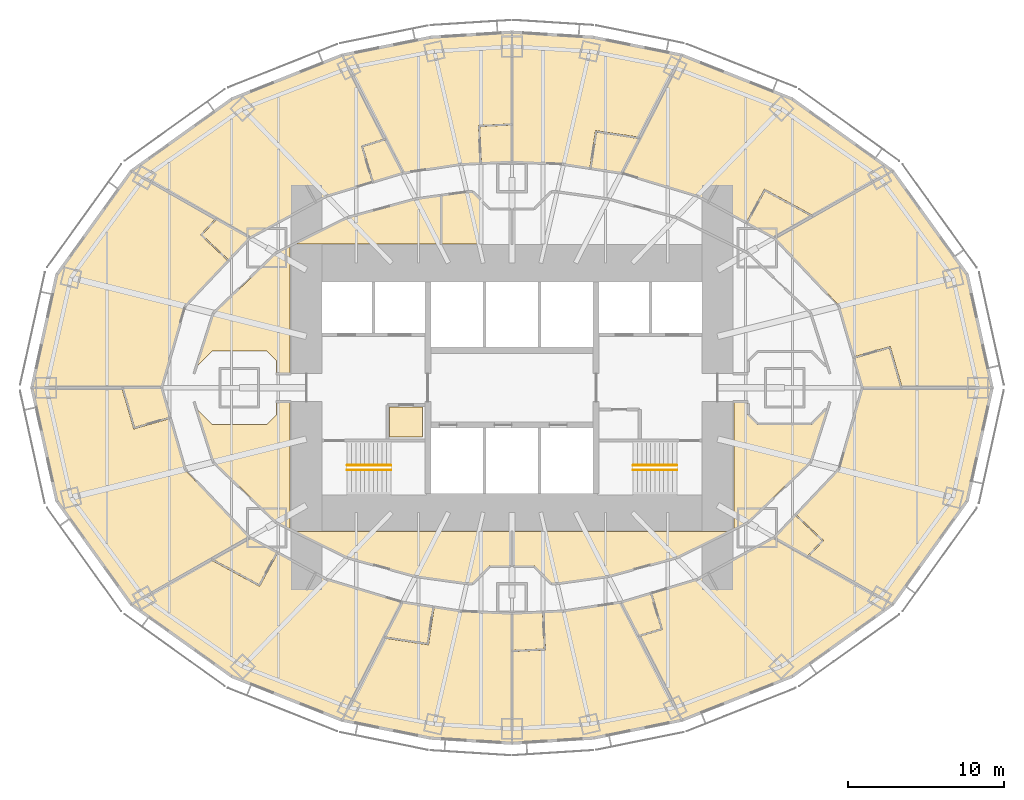
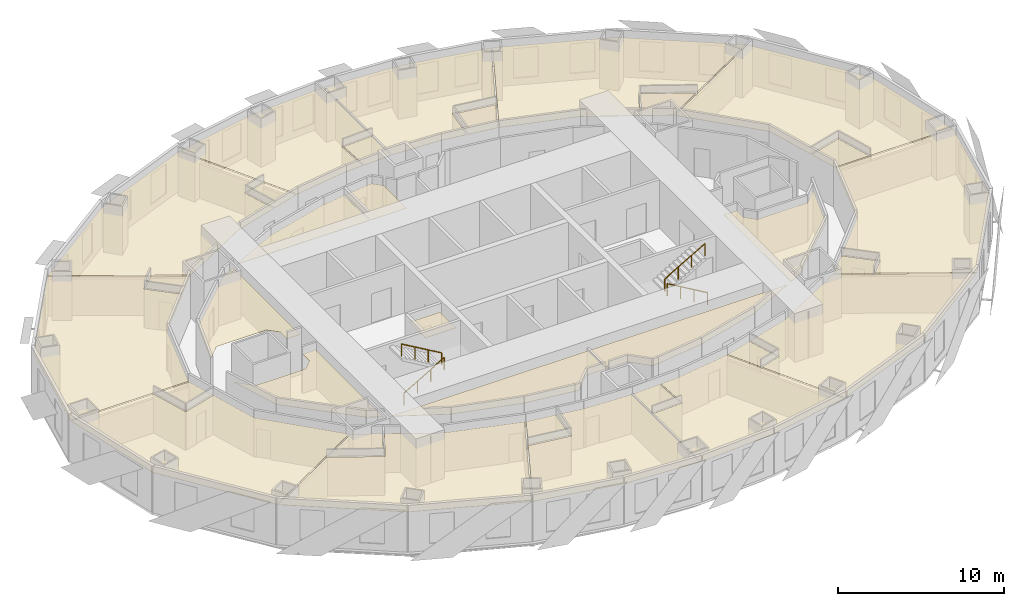
# One storey, part 15 of 15: 32 coverings, 4 railings.
"""IFC4 building model written with IfcOpenShell, lengths in metres."""

from ifc_helpers import new_model, si_unit, direction, frame, origin, origin_2d, place, context, subcontext, project, spatial, polyline, circle, outline, extrude, material, layer, layer_set, type_object, element, save


model = new_model("IFC4")

# Units and contexts
model_context = context("Model", 3, precision=1e-05, world=origin(), true_north=direction((0.0, 1.0)))
body_context = subcontext(model_context, "Body", "Model", "MODEL_VIEW")
ifc_project = project(units=[si_unit("LENGTHUNIT", "METRE"), si_unit("AREAUNIT", "SQUARE_METRE"), si_unit("VOLUMEUNIT", "CUBIC_METRE"), si_unit("PLANEANGLEUNIT", "RADIAN"), si_unit("MASSUNIT", "GRAM", prefix="KILO")], contexts=[model_context])

# Site, building, storey
site_placement = place(None, origin())
site = spatial("IfcSite", under=ifc_project, at=site_placement, CompositionType="ELEMENT")
building_placement = place(site_placement, origin())
building = spatial("IfcBuilding", under=site, at=building_placement, Name="Lantaw Convention Tower", CompositionType="ELEMENT")
storey_placement = place(building_placement, frame((0.0, 0.0, 83.800048828125)))
storey = spatial("IfcBuildingStorey", under=building, at=storey_placement, Name="L19", CompositionType="ELEMENT", Elevation=83.800048828125)

# Railings
ifc_material_1 = material(Name="Stainless steel", Category="steel")
railing_type = type_object("IfcRailingType", Name="Stair handrail", PredefinedType="HANDRAIL", material=ifc_material_1)
railing_1_placement = place(storey_placement, frame((-10.580078125, -5.280029296875, 0.16357421875)))
element("IfcRailing", 1, at=railing_1_placement, inside=storey, type_object=railing_type, Name="Stair handrail S1", PredefinedType="HANDRAIL", context=body_context, shape_type="SweptSolid", body=[
    extrude(circle(Radius=0.02392578125, at=origin_2d()), frame((0.0, 0.0, 0.8759765625), z_axis=(0.863360870873, 0.0, 0.504586966384), x_axis=(0.0, 1.0, 0.0)), (0.0, 0.0, 1.0), 3.2431640625),
    extrude(circle(Radius=0.02099609375, at=origin_2d()), origin(), (0.0, 0.0, 1.0), 0.851806640625),
    extrude(circle(Radius=0.02099609375, at=origin_2d()), frame((0.933349609375, 0.0, 0.54541015625)), (0.0, 0.0, 1.0), 0.851806640625),
    extrude(circle(Radius=0.02099609375, at=origin_2d()), frame((1.86669921875, 0.0, 1.091064453125)), (0.0, 0.0, 1.0), 0.851806640625),
    extrude(circle(Radius=0.02099609375, at=origin_2d()), frame((2.800048828125, 0.0, 1.636474609375)), (0.0, 0.0, 1.0), 0.851806640625),
])
railing_2_placement = place(storey_placement, frame((-7.780029296875, -4.97998046875, 1.963623046875)))
element("IfcRailing", 2, at=railing_2_placement, inside=storey, type_object=railing_type, Name="Stair handrail S1", PredefinedType="HANDRAIL", context=body_context, shape_type="SweptSolid", body=[
    extrude(circle(Radius=0.02392578125, at=origin_2d()), frame((0.0, 0.0, 0.8759765625), z_axis=(-0.863393664356, 0.0, 0.504530851732), x_axis=(0.0, -1.0, 0.0)), (0.0, 0.0, 1.0), 3.2431640625),
    extrude(circle(Radius=0.02099609375, at=origin_2d()), origin(), (0.0, 0.0, 1.0), 0.851806640625),
    extrude(circle(Radius=0.02099609375, at=origin_2d()), frame((-0.933349609375, 0.0, 0.54541015625)), (0.0, 0.0, 1.0), 0.851806640625),
    extrude(circle(Radius=0.02099609375, at=origin_2d()), frame((-1.86669921875, 0.0, 1.0908203125)), (0.0, 0.0, 1.0), 0.851806640625),
    extrude(circle(Radius=0.02099609375, at=origin_2d()), frame((-2.800048828125, 0.0, 1.63623046875)), (0.0, 0.0, 1.0), 0.851806640625),
])
railing_3_placement = place(storey_placement, frame((10.580078125, -5.280029296875, 0.16357421875)))
element("IfcRailing", 3, at=railing_3_placement, inside=storey, type_object=railing_type, Name="Stair handrail S2", PredefinedType="HANDRAIL", context=body_context, shape_type="SweptSolid", body=[
    extrude(circle(Radius=0.02392578125, at=origin_2d()), frame((0.0, 0.0, 0.8759765625), z_axis=(-0.863360870873, 0.0, 0.504586966384), x_axis=(0.0, -1.0, 0.0)), (0.0, 0.0, 1.0), 3.2431640625),
    extrude(circle(Radius=0.02099609375, at=origin_2d()), origin(), (0.0, 0.0, 1.0), 0.851806640625),
    extrude(circle(Radius=0.02099609375, at=origin_2d()), frame((-0.933349609375, 0.0, 0.54541015625)), (0.0, 0.0, 1.0), 0.851806640625),
    extrude(circle(Radius=0.02099609375, at=origin_2d()), frame((-1.86669921875, 0.0, 1.091064453125)), (0.0, 0.0, 1.0), 0.851806640625),
    extrude(circle(Radius=0.02099609375, at=origin_2d()), frame((-2.800048828125, 0.0, 1.636474609375)), (0.0, 0.0, 1.0), 0.851806640625),
])
railing_4_placement = place(storey_placement, frame((7.780029296875, -4.97998046875, 1.963623046875)))
element("IfcRailing", 4, at=railing_4_placement, inside=storey, type_object=railing_type, Name="Stair handrail S2", PredefinedType="HANDRAIL", context=body_context, shape_type="SweptSolid", body=[
    extrude(circle(Radius=0.02392578125, at=origin_2d()), frame((0.0, 0.0, 0.8759765625), z_axis=(0.863393664356, 0.0, 0.504530851732), x_axis=(0.0, 1.0, 0.0)), (0.0, 0.0, 1.0), 3.2431640625),
    extrude(circle(Radius=0.02099609375, at=origin_2d()), origin(), (0.0, 0.0, 1.0), 0.851806640625),
    extrude(circle(Radius=0.02099609375, at=origin_2d()), frame((0.933349609375, 0.0, 0.54541015625)), (0.0, 0.0, 1.0), 0.851806640625),
    extrude(circle(Radius=0.02099609375, at=origin_2d()), frame((1.86669921875, 0.0, 1.0908203125)), (0.0, 0.0, 1.0), 0.851806640625),
    extrude(circle(Radius=0.02099609375, at=origin_2d()), frame((2.800048828125, 0.0, 1.63623046875)), (0.0, 0.0, 1.0), 0.851806640625),
])

# Coverings
ifc_material_2 = material(Name="Gypsum board on steel suspension grid", Category="steel")
ifc_layer = layer(ifc_material_2, 0.02001953125)
ifc_layer_set = layer_set([ifc_layer], Name="Suspended ceiling")
covering_type = type_object("IfcCoveringType", Name="Suspended ceiling", PredefinedType="CEILING", material=ifc_layer_set)
covering_1_placement = place(storey_placement, frame((0.0, 0.0, 2.849853515625)))
element("IfcCovering", 5, at=covering_1_placement, inside=storey, type_object=covering_type, Name="Housekeeping pantry ceiling", PredefinedType="CEILING", context=body_context, shape_type="SweptSolid", body=[
    extrude(outline(polyline([(-7.860107421875, -3.159912109375), (-5.739990234375, -3.159912109375), (-5.739990234375, -1.239990234375), (-7.860107421875, -1.239990234375), (-7.860107421875, -3.159912109375)])), origin(), (0.0, 0.0, 1.0), 0.02001953125),
])
covering_2_placement = place(storey_placement, frame((0.0, 0.0, 2.849853515625)))
element("IfcCovering", 6, at=covering_2_placement, inside=storey, type_object=covering_type, Name="Accessible WC ceiling", PredefinedType="CEILING", context=body_context, shape_type="SweptSolid", body=[
    extrude(outline(polyline([(-4.510009765625, 9.239990234375), (-2.014892578125, 9.239990234375), (-2.014892578125, 12.0087890625), (-2.06494140625, 12.058837890625), (-2.06494140625, 12.071044921875), (-2.544677734375, 12.550048828125), (-2.8994140625, 12.53466796875), (-4.510009765625, 12.311767578125), (-4.510009765625, 9.239990234375)])), origin(), (0.0, 0.0, 1.0), 0.02001953125),
])
covering_3_placement = place(storey_placement, frame((0.0, 0.0, 2.849853515625)))
element("IfcCovering", 7, at=covering_3_placement, inside=storey, type_object=covering_type, Name="Housekeeping room ceiling", PredefinedType="CEILING", context=body_context, shape_type="SweptSolid", body=[
    extrude(outline(polyline([(-13.87451171875, 9.239990234375), (-4.60009765625, 9.239990234375), (-4.60009765625, 12.29931640625), (-6.168212890625, 12.082275390625), (-10.537109375, 10.888671875), (-13.87451171875, 9.239990234375)])), origin(), (0.0, 0.0, 1.0), 0.02001953125),
])
covering_4_placement = place(storey_placement, frame((0.0, 0.0, 2.849853515625)))
element("IfcCovering", 8, at=covering_4_placement, inside=storey, type_object=covering_type, Name="Housekeeping room ceiling", PredefinedType="CEILING", context=body_context, shape_type="SweptSolid", body=[
    extrude(outline(polyline([(-19.864990234375, 1.72900390625), (-19.864990234375, 1.7412109375), (-19.2412109375, 2.364990234375), (-15.7587890625, 2.364990234375), (-15.135009765625, 1.7412109375), (-15.135009765625, 0.93994140625), (-14.239990234375, 0.93994140625), (-14.239990234375, 9.0595703125), (-15.124267578125, 8.62255859375), (-19.141845703125, 4.759521484375), (-20.22021484375, 1.37451171875), (-19.864990234375, 1.72900390625)])), origin(), (0.0, 0.0, 1.0), 0.02001953125),
])
covering_5_placement = place(storey_placement, frame((0.0, 0.0, 2.849853515625)))
element("IfcCovering", 9, at=covering_5_placement, inside=storey, type_object=covering_type, Name="Staff room ceiling", PredefinedType="CEILING", context=body_context, shape_type="SweptSolid", body=[
    extrude(outline(polyline([(-10.537109375, -10.888671875), (-6.168212890625, -12.082275390625), (-2.8994140625, -12.53466796875), (-2.544677734375, -12.550048828125), (-2.06494140625, -12.071044921875), (-2.06494140625, -12.058837890625), (-1.441162109375, -11.43505859375), (-0.0400390625, -11.43505859375), (-0.0400390625, -9.239990234375), (-13.87451171875, -9.239990234375), (-10.537109375, -10.888671875)])), origin(), (0.0, 0.0, 1.0), 0.02001953125),
])
covering_6_placement = place(storey_placement, frame((0.0, 0.0, 2.849853515625)))
element("IfcCovering", 10, at=covering_6_placement, inside=storey, type_object=covering_type, Name="Staff room ceiling", PredefinedType="CEILING", context=body_context, shape_type="SweptSolid", body=[
    extrude(outline(polyline([(-19.864990234375, -1.7412109375), (-19.864990234375, -1.72900390625), (-20.22021484375, -1.37451171875), (-19.141845703125, -4.759521484375), (-15.124267578125, -8.62255859375), (-14.239990234375, -9.0595703125), (-14.239990234375, -0.93994140625), (-15.135009765625, -0.93994140625), (-15.135009765625, -1.7412109375), (-15.7587890625, -2.364990234375), (-19.2412109375, -2.364990234375), (-19.864990234375, -1.7412109375)])), origin(), (0.0, 0.0, 1.0), 0.02001953125),
])
covering_7_placement = place(storey_placement, frame((0.0, 0.0, 2.849853515625)))
element("IfcCovering", 11, at=covering_7_placement, inside=storey, type_object=covering_type, Name="Room service pantry ceiling", PredefinedType="CEILING", context=body_context, shape_type="SweptSolid", body=[
    extrude(outline(polyline([(2.06494140625, -12.071044921875), (2.544677734375, -12.550048828125), (2.8994140625, -12.53466796875), (6.168212890625, -12.082275390625), (10.537109375, -10.888671875), (13.87451171875, -9.239990234375), (0.0400390625, -9.239990234375), (0.0400390625, -11.43505859375), (1.441162109375, -11.43505859375), (2.06494140625, -12.058837890625), (2.06494140625, -12.071044921875)])), origin(), (0.0, 0.0, 1.0), 0.02001953125),
])
covering_8_placement = place(storey_placement, frame((0.0, 0.0, 2.849853515625)))
element("IfcCovering", 12, at=covering_8_placement, inside=storey, type_object=covering_type, Name="Room service pantry ceiling", PredefinedType="CEILING", context=body_context, shape_type="SweptSolid", body=[
    extrude(outline(polyline([(14.239990234375, -0.93994140625), (14.239990234375, -9.0595703125), (15.124267578125, -8.62255859375), (19.141845703125, -4.759521484375), (20.22021484375, -1.37451171875), (19.864990234375, -1.72900390625), (19.864990234375, -1.7412109375), (19.2412109375, -2.364990234375), (15.7587890625, -2.364990234375), (15.135009765625, -1.7412109375), (15.135009765625, -0.93994140625), (14.239990234375, -0.93994140625)])), origin(), (0.0, 0.0, 1.0), 0.02001953125),
])
covering_9_placement = place(storey_placement, frame((0.0, 0.0, 2.849853515625)))
element("IfcCovering", 13, at=covering_9_placement, inside=storey, type_object=covering_type, Name="Junior suite bathroom ceiling", PredefinedType="CEILING", context=body_context, shape_type="SweptSolid", body=[
    extrude(outline(polyline([(22.530029296875, 0.0400390625), (24.945556640625, 0.0400390625), (24.221435546875, 2.539306640625), (21.992919921875, 1.893798828125), (22.530029296875, 0.0400390625)])), origin(), (0.0, 0.0, 1.0), 0.02001953125),
])
covering_10_placement = place(storey_placement, frame((0.0, 0.0, 2.849853515625)))
element("IfcCovering", 14, at=covering_10_placement, inside=storey, type_object=covering_type, Name="Junior suite ceiling", PredefinedType="CEILING", context=body_context, shape_type="SweptSolid", body=[
    extrude(outline(polyline([(16.899169921875, 9.6103515625), (21.02001953125, 5.25244140625), (21.967529296875, 1.982177734375), (24.2841796875, 2.6533203125), (25.041259765625, 0.0400390625), (30.77099609375, 0.0400390625), (29.184814453125, 7.237060546875), (24.423095703125, 13.8564453125), (16.899169921875, 9.6103515625)])), origin(), (0.0, 0.0, 1.0), 0.02001953125),
])
covering_11_placement = place(storey_placement, frame((0.0, 0.0, 2.849853515625)))
element("IfcCovering", 15, at=covering_11_placement, inside=storey, type_object=covering_type, Name="Junior suite bathroom ceiling", PredefinedType="CEILING", context=body_context, shape_type="SweptSolid", body=[
    extrude(outline(polyline([(16.83447265625, 9.665771484375), (19.202392578125, 11.018798828125), (16.240966796875, 12.629638671875), (15.13232421875, 10.591796875), (16.83447265625, 9.665771484375)])), origin(), (0.0, 0.0, 1.0), 0.02001953125),
])
covering_12_placement = place(storey_placement, frame((0.0, 0.0, 2.849853515625)))
element("IfcCovering", 16, at=covering_12_placement, inside=storey, type_object=covering_type, Name="Junior suite ceiling", PredefinedType="CEILING", context=body_context, shape_type="SweptSolid", body=[
    extrude(outline(polyline([(7.076904296875, 13.80078125), (11.90380859375, 12.347900390625), (15.051513671875, 10.6357421875), (16.2041015625, 12.75439453125), (19.31201171875, 11.06396484375), (24.3603515625, 13.912841796875), (17.951171875, 18.50634765625), (10.930908203125, 21.294921875), (7.076904296875, 13.80078125)])), origin(), (0.0, 0.0, 1.0), 0.02001953125),
])
covering_13_placement = place(storey_placement, frame((0.0, 0.0, 2.849853515625)))
element("IfcCovering", 17, at=covering_13_placement, inside=storey, type_object=covering_type, Name="Junior suite bathroom ceiling", PredefinedType="CEILING", context=body_context, shape_type="SweptSolid", body=[
    extrude(outline(polyline([(6.996826171875, 13.8203125), (8.1064453125, 15.997802734375), (5.437744140625, 16.405029296875), (5.087890625, 14.111572265625), (6.996826171875, 13.8203125)])), origin(), (0.0, 0.0, 1.0), 0.02001953125),
])
covering_14_placement = place(storey_placement, frame((0.0, 0.0, 2.849853515625)))
element("IfcCovering", 18, at=covering_14_placement, inside=storey, type_object=covering_type, Name="Junior suite ceiling", PredefinedType="CEILING", context=body_context, shape_type="SweptSolid", body=[
    extrude(outline(polyline([(0.0400390625, 14.5380859375), (3.315185546875, 14.382080078125), (4.996826171875, 14.12548828125), (5.360595703125, 16.509765625), (8.160400390625, 16.08251953125), (10.852294921875, 21.31689453125), (5.20556640625, 22.456298828125), (0.0400390625, 22.781982421875), (0.0400390625, 14.5380859375)])), origin(), (0.0, 0.0, 1.0), 0.02001953125),
])
covering_15_placement = place(storey_placement, frame((0.0, 0.0, 2.849853515625)))
element("IfcCovering", 19, at=covering_15_placement, inside=storey, type_object=covering_type, Name="Junior suite bathroom ceiling", PredefinedType="CEILING", context=body_context, shape_type="SweptSolid", body=[
    extrude(outline(polyline([(-0.0400390625, 14.5380859375), (-0.0400390625, 16.86083984375), (-2.070068359375, 16.763916015625), (-1.959716796875, 14.446533203125), (-0.0400390625, 14.5380859375)])), origin(), (0.0, 0.0, 1.0), 0.02001953125),
])
covering_16_placement = place(storey_placement, frame((0.0, 0.0, 2.849853515625)))
element("IfcCovering", 20, at=covering_16_placement, inside=storey, type_object=covering_type, Name="Junior suite ceiling", PredefinedType="CEILING", context=body_context, shape_type="SweptSolid", body=[
    extrude(outline(polyline([(-3.315185546875, 14.382080078125), (-2.03955078125, 14.44287109375), (-2.15380859375, 16.840087890625), (-0.0400390625, 16.94091796875), (-0.0400390625, 22.781982421875), (-5.20556640625, 22.456298828125), (-10.852294921875, 21.31689453125), (-6.9970703125, 13.8203125), (-3.315185546875, 14.382080078125)])), origin(), (0.0, 0.0, 1.0), 0.02001953125),
])
covering_17_placement = place(storey_placement, frame((0.0, 0.0, 2.849853515625)))
element("IfcCovering", 21, at=covering_17_placement, inside=storey, type_object=covering_type, Name="Junior suite bathroom ceiling", PredefinedType="CEILING", context=body_context, shape_type="SweptSolid", body=[
    extrude(outline(polyline([(-7.07666015625, 13.80078125), (-8.14697265625, 15.9013671875), (-9.576416015625, 15.47119140625), (-8.90771484375, 13.249755859375), (-7.07666015625, 13.80078125)])), origin(), (0.0, 0.0, 1.0), 0.02001953125),
])
covering_18_placement = place(storey_placement, frame((0.0, 0.0, 2.849853515625)))
element("IfcCovering", 22, at=covering_18_placement, inside=storey, type_object=covering_type, Name="Junior suite ceiling", PredefinedType="CEILING", context=body_context, shape_type="SweptSolid", body=[
    extrude(outline(polyline([(-11.90380859375, 12.347900390625), (-8.984375, 13.2265625), (-9.676025390625, 15.524658203125), (-8.193115234375, 15.97119140625), (-10.930908203125, 21.294921875), (-17.951171875, 18.50634765625), (-24.3603515625, 13.912841796875), (-16.834716796875, 9.665771484375), (-11.90380859375, 12.347900390625)])), origin(), (0.0, 0.0, 1.0), 0.02001953125),
])
covering_19_placement = place(storey_placement, frame((0.0, 0.0, 2.849853515625)))
element("IfcCovering", 23, at=covering_19_placement, inside=storey, type_object=covering_type, Name="Junior suite bathroom ceiling", PredefinedType="CEILING", context=body_context, shape_type="SweptSolid", body=[
    extrude(outline(polyline([(-16.89892578125, 9.610595703125), (-18.971923828125, 10.794921875), (-19.896484375, 9.8173828125), (-18.210693359375, 8.223388671875), (-16.89892578125, 9.610595703125)])), origin(), (0.0, 0.0, 1.0), 0.02001953125),
])
covering_20_placement = place(storey_placement, frame((0.0, 0.0, 2.849853515625)))
element("IfcCovering", 24, at=covering_20_placement, inside=storey, type_object=covering_type, Name="Junior suite ceiling", PredefinedType="CEILING", context=body_context, shape_type="SweptSolid", body=[
    extrude(outline(polyline([(-21.02001953125, 5.25244140625), (-18.265625, 8.165283203125), (-20.009521484375, 9.814208984375), (-19.052978515625, 10.82568359375), (-24.423095703125, 13.8564453125), (-29.184814453125, 7.237060546875), (-30.77099609375, 0.0400390625), (-22.530029296875, 0.0400390625), (-21.02001953125, 5.25244140625)])), origin(), (0.0, 0.0, 1.0), 0.02001953125),
])
covering_21_placement = place(storey_placement, frame((0.0, 0.0, 2.849853515625)))
element("IfcCovering", 25, at=covering_21_placement, inside=storey, type_object=covering_type, Name="Junior suite bathroom ceiling", PredefinedType="CEILING", context=body_context, shape_type="SweptSolid", body=[
    extrude(outline(polyline([(-22.530029296875, -0.0400390625), (-24.945556640625, -0.0400390625), (-24.221435546875, -2.539306640625), (-21.992919921875, -1.893798828125), (-22.530029296875, -0.0400390625)])), origin(), (0.0, 0.0, 1.0), 0.02001953125),
])
covering_22_placement = place(storey_placement, frame((0.0, 0.0, 2.849853515625)))
element("IfcCovering", 26, at=covering_22_placement, inside=storey, type_object=covering_type, Name="Junior suite ceiling", PredefinedType="CEILING", context=body_context, shape_type="SweptSolid", body=[
    extrude(outline(polyline([(-21.02001953125, -5.25244140625), (-21.967529296875, -1.982177734375), (-24.2841796875, -2.6533203125), (-25.041259765625, -0.0400390625), (-30.77099609375, -0.0400390625), (-29.184814453125, -7.237060546875), (-24.423095703125, -13.8564453125), (-16.899169921875, -9.6103515625), (-21.02001953125, -5.25244140625)])), origin(), (0.0, 0.0, 1.0), 0.02001953125),
])
covering_23_placement = place(storey_placement, frame((0.0, 0.0, 2.849853515625)))
element("IfcCovering", 27, at=covering_23_placement, inside=storey, type_object=covering_type, Name="Junior suite bathroom ceiling", PredefinedType="CEILING", context=body_context, shape_type="SweptSolid", body=[
    extrude(outline(polyline([(-16.83447265625, -9.665771484375), (-19.202392578125, -11.018798828125), (-16.240966796875, -12.629638671875), (-15.13232421875, -10.591796875), (-16.83447265625, -9.665771484375)])), origin(), (0.0, 0.0, 1.0), 0.02001953125),
])
covering_24_placement = place(storey_placement, frame((0.0, 0.0, 2.849853515625)))
element("IfcCovering", 28, at=covering_24_placement, inside=storey, type_object=covering_type, Name="Junior suite ceiling", PredefinedType="CEILING", context=body_context, shape_type="SweptSolid", body=[
    extrude(outline(polyline([(-19.31201171875, -11.06396484375), (-24.3603515625, -13.912841796875), (-17.951171875, -18.50634765625), (-10.930908203125, -21.294921875), (-7.076904296875, -13.80078125), (-11.90380859375, -12.347900390625), (-15.051513671875, -10.6357421875), (-16.2041015625, -12.75439453125), (-19.31201171875, -11.06396484375)])), origin(), (0.0, 0.0, 1.0), 0.02001953125),
])
covering_25_placement = place(storey_placement, frame((0.0, 0.0, 2.849853515625)))
element("IfcCovering", 29, at=covering_25_placement, inside=storey, type_object=covering_type, Name="Junior suite bathroom ceiling", PredefinedType="CEILING", context=body_context, shape_type="SweptSolid", body=[
    extrude(outline(polyline([(-6.996826171875, -13.8203125), (-8.1064453125, -15.997802734375), (-5.437744140625, -16.405029296875), (-5.087890625, -14.111572265625), (-6.996826171875, -13.8203125)])), origin(), (0.0, 0.0, 1.0), 0.02001953125),
])
covering_26_placement = place(storey_placement, frame((0.0, 0.0, 2.849853515625)))
element("IfcCovering", 30, at=covering_26_placement, inside=storey, type_object=covering_type, Name="Junior suite ceiling", PredefinedType="CEILING", context=body_context, shape_type="SweptSolid", body=[
    extrude(outline(polyline([(-3.315185546875, -14.382080078125), (-4.996826171875, -14.12548828125), (-5.360595703125, -16.509765625), (-8.160400390625, -16.08251953125), (-10.852294921875, -21.31689453125), (-5.20556640625, -22.456298828125), (-0.0400390625, -22.781982421875), (-0.0400390625, -14.5380859375), (-3.315185546875, -14.382080078125)])), origin(), (0.0, 0.0, 1.0), 0.02001953125),
])
covering_27_placement = place(storey_placement, frame((0.0, 0.0, 2.849853515625)))
element("IfcCovering", 31, at=covering_27_placement, inside=storey, type_object=covering_type, Name="Junior suite bathroom ceiling", PredefinedType="CEILING", context=body_context, shape_type="SweptSolid", body=[
    extrude(outline(polyline([(0.0400390625, -14.5380859375), (0.0400390625, -16.86083984375), (2.070068359375, -16.763916015625), (1.959716796875, -14.446533203125), (0.0400390625, -14.5380859375)])), origin(), (0.0, 0.0, 1.0), 0.02001953125),
])
covering_28_placement = place(storey_placement, frame((0.0, 0.0, 2.849853515625)))
element("IfcCovering", 32, at=covering_28_placement, inside=storey, type_object=covering_type, Name="Junior suite ceiling", PredefinedType="CEILING", context=body_context, shape_type="SweptSolid", body=[
    extrude(outline(polyline([(2.03955078125, -14.44287109375), (2.15380859375, -16.840087890625), (0.0400390625, -16.94091796875), (0.0400390625, -22.781982421875), (5.20556640625, -22.456298828125), (10.852294921875, -21.31689453125), (6.9970703125, -13.8203125), (3.315185546875, -14.382080078125), (2.03955078125, -14.44287109375)])), origin(), (0.0, 0.0, 1.0), 0.02001953125),
])
covering_29_placement = place(storey_placement, frame((0.0, 0.0, 2.849853515625)))
element("IfcCovering", 33, at=covering_29_placement, inside=storey, type_object=covering_type, Name="Junior suite bathroom ceiling", PredefinedType="CEILING", context=body_context, shape_type="SweptSolid", body=[
    extrude(outline(polyline([(7.07666015625, -13.80078125), (8.14697265625, -15.9013671875), (9.576416015625, -15.47119140625), (8.90771484375, -13.249755859375), (7.07666015625, -13.80078125)])), origin(), (0.0, 0.0, 1.0), 0.02001953125),
])
covering_30_placement = place(storey_placement, frame((0.0, 0.0, 2.849853515625)))
element("IfcCovering", 34, at=covering_30_placement, inside=storey, type_object=covering_type, Name="Junior suite ceiling", PredefinedType="CEILING", context=body_context, shape_type="SweptSolid", body=[
    extrude(outline(polyline([(8.984375, -13.2265625), (9.676025390625, -15.524658203125), (8.193115234375, -15.97119140625), (10.930908203125, -21.294921875), (17.951171875, -18.50634765625), (24.3603515625, -13.912841796875), (16.834716796875, -9.665771484375), (11.90380859375, -12.347900390625), (8.984375, -13.2265625)])), origin(), (0.0, 0.0, 1.0), 0.02001953125),
])
covering_31_placement = place(storey_placement, frame((0.0, 0.0, 2.849853515625)))
element("IfcCovering", 35, at=covering_31_placement, inside=storey, type_object=covering_type, Name="Junior suite bathroom ceiling", PredefinedType="CEILING", context=body_context, shape_type="SweptSolid", body=[
    extrude(outline(polyline([(16.89892578125, -9.610595703125), (18.971923828125, -10.794921875), (19.896484375, -9.8173828125), (18.210693359375, -8.223388671875), (16.89892578125, -9.610595703125)])), origin(), (0.0, 0.0, 1.0), 0.02001953125),
])
covering_32_placement = place(storey_placement, frame((0.0, 0.0, 2.849853515625)))
element("IfcCovering", 36, at=covering_32_placement, inside=storey, type_object=covering_type, Name="Junior suite ceiling", PredefinedType="CEILING", context=body_context, shape_type="SweptSolid", body=[
    extrude(outline(polyline([(21.02001953125, -5.25244140625), (18.265625, -8.165283203125), (20.009521484375, -9.814208984375), (19.052978515625, -10.82568359375), (24.423095703125, -13.8564453125), (29.184814453125, -7.237060546875), (30.77099609375, -0.0400390625), (22.530029296875, -0.0400390625), (21.02001953125, -5.25244140625)])), origin(), (0.0, 0.0, 1.0), 0.02001953125),
])

save(model, "model.ifc")
